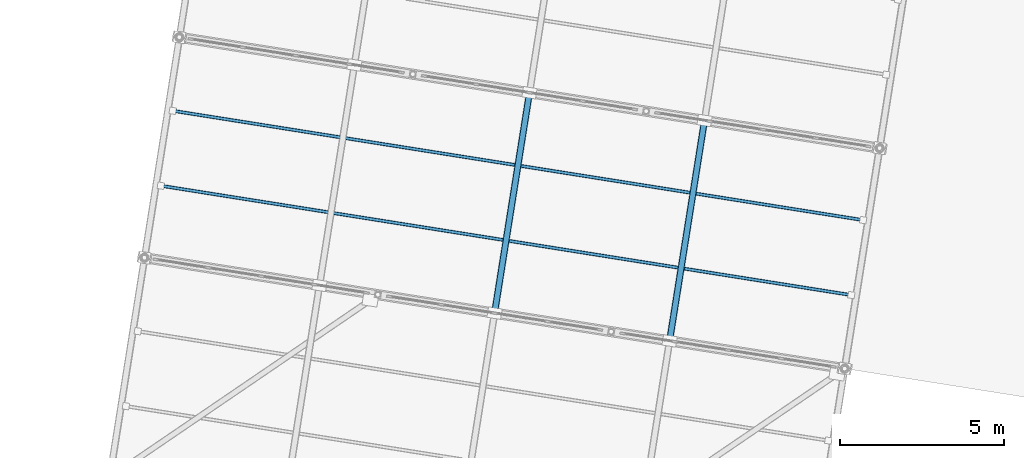
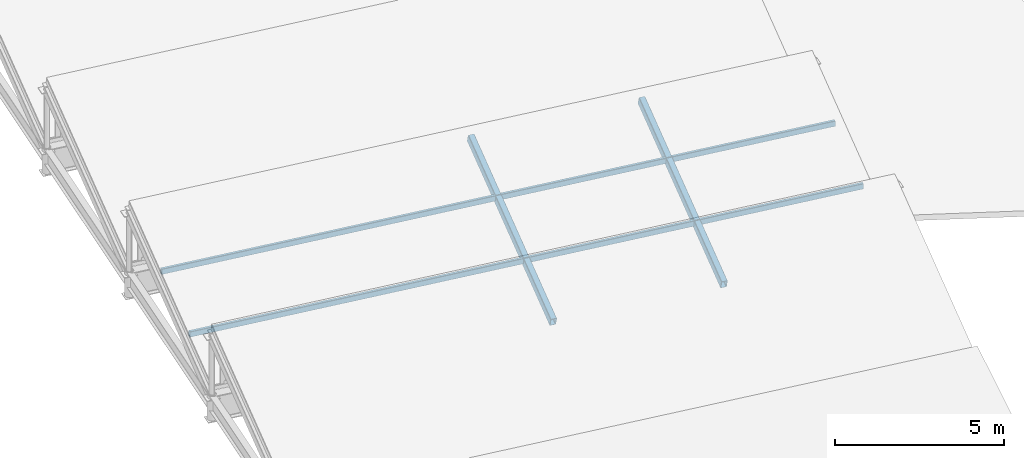
# One storey, part 36 of 65: 4 members.
"""IFC4 building model written with IfcOpenShell, lengths in metres."""

from ifc_helpers import new_model, si_unit, direction, frame, origin, origin_2d, place, context, subcontext, project, spatial, hollow_rectangle, extrude, material, material_profile, profile_set, type_object, element, save


model = new_model("IFC4")

# Units and contexts
model_context = context("Model", 3, precision=1e-05, world=origin(), true_north=direction((0.0, 1.0)))
body_context = subcontext(model_context, "Body", "Model", "MODEL_VIEW")
ifc_project = project(units=[si_unit("LENGTHUNIT", "METRE"), si_unit("AREAUNIT", "SQUARE_METRE"), si_unit("VOLUMEUNIT", "CUBIC_METRE"), si_unit("PLANEANGLEUNIT", "RADIAN"), si_unit("MASSUNIT", "GRAM", prefix="KILO")], contexts=[model_context])

# Site, building, storey
site_placement = place(None, origin())
site = spatial("IfcSite", under=ifc_project, at=site_placement, CompositionType="ELEMENT")
building_placement = place(site_placement, origin())
building = spatial("IfcBuilding", under=site, at=building_placement, Name="Cinderway Yard Community Centre", CompositionType="ELEMENT")
storey_placement = place(building_placement, frame((0.0, 0.0, 24.300048828125)))
storey = spatial("IfcBuildingStorey", under=building, at=storey_placement, Name="RF", CompositionType="ELEMENT", Elevation=24.300048828125)

# Members
ifc_material = material(Name="Steel S355", Category="steel")
ifc_material_profile_1 = material_profile(ifc_material, hollow_rectangle(XDim=0.10009765625, YDim=0.199951171875, WallThickness=0.008056640625, InnerFilletRadius=0.008056640625, OuterFilletRadius=0.01611328125, at=origin_2d()), Name="Steel S355")
ifc_profile_set_1 = profile_set([ifc_material_profile_1], Name="Steel S355")
member_type_1 = type_object("IfcMemberType", Name="STR-MEM-PURLIN-200", PredefinedType="PURLIN", material=ifc_profile_set_1)
member_1_placement = place(storey_placement, frame((119.56298828125, 46.908935546875, -9.843994140625), z_axis=(0.987688878943, -0.156431066005, 0.0), x_axis=(0.156431066005, 0.987688878943, 0.0)))
element("IfcMember", 1, at=member_1_placement, inside=storey, type_object=member_type_1, Name="Sawtooth roof purlin B2-33", PredefinedType="PURLIN", context=body_context, shape_type="SweptSolid", body=[
    extrude(hollow_rectangle(XDim=0.10009765625, YDim=0.199951171875, WallThickness=0.008056640625, InnerFilletRadius=0.008056640625, OuterFilletRadius=0.01611328125, at=origin_2d()), origin(), (0.0, 0.0, 1.0), 21.30029296875),
])
member_2_placement = place(storey_placement, frame((119.925048828125, 49.193115234375, -9.095947265625), z_axis=(0.98768747643, -0.156439921064, 0.0), x_axis=(0.156439921064, 0.98768747643, 0.0)))
element("IfcMember", 2, at=member_2_placement, inside=storey, type_object=member_type_1, Name="Sawtooth roof purlin B2-67", PredefinedType="PURLIN", context=body_context, shape_type="SweptSolid", body=[
    extrude(hollow_rectangle(XDim=0.10009765625, YDim=0.199951171875, WallThickness=0.008056640625, InnerFilletRadius=0.008056640625, OuterFilletRadius=0.01611328125, at=origin_2d()), origin(), (0.0, 0.0, 1.0), 21.299072265625),
])
ifc_material_profile_2 = material_profile(ifc_material, hollow_rectangle(XDim=0.199951171875, YDim=0.300048828125, WallThickness=0.012451171875, InnerFilletRadius=0.012451171875, OuterFilletRadius=0.02490234375, at=origin_2d()), Name="Steel S355")
ifc_profile_set_2 = profile_set([ifc_material_profile_2], Name="Steel S355")
member_type_2 = type_object("IfcMemberType", Name="STR-MEM-RAFTER-300", PredefinedType="RAFTER", material=ifc_profile_set_2)
for number, where, z_axis, x_axis, name in (
    (3, (129.73095703125, 43.027099609375, -10.6201171875), (0.148876837345, 0.939720982492, 0.30783138626), (-0.987681899939, 0.156475124325, 0.0), "Sawtooth raked rafter B2-108"),
    (4, (135.06396484375, 42.181884765625, -10.6201171875), (0.14887205817, 0.939724976642, 0.307821504399), (-0.987682779013, 0.156469575446, 0.0), "Sawtooth raked rafter B2-162"),
):
    element("IfcMember", number, at=place(storey_placement, frame(where, z_axis=z_axis, x_axis=x_axis)), inside=storey, type_object=member_type_2, Name=name, PredefinedType="RAFTER", context=body_context, shape_type="SweptSolid", body=[
        extrude(hollow_rectangle(XDim=0.199951171875, YDim=0.300048828125, WallThickness=0.012451171875, InnerFilletRadius=0.012451171875, OuterFilletRadius=0.02490234375, at=origin_2d()), origin(), (0.0, 0.0, 1.0), 7.146728515625),
    ])

save(model, "model.ifc")
